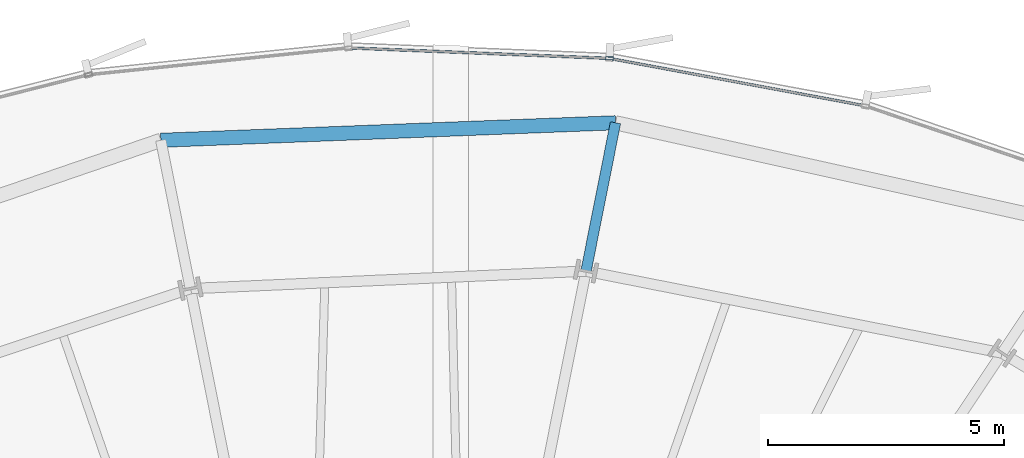
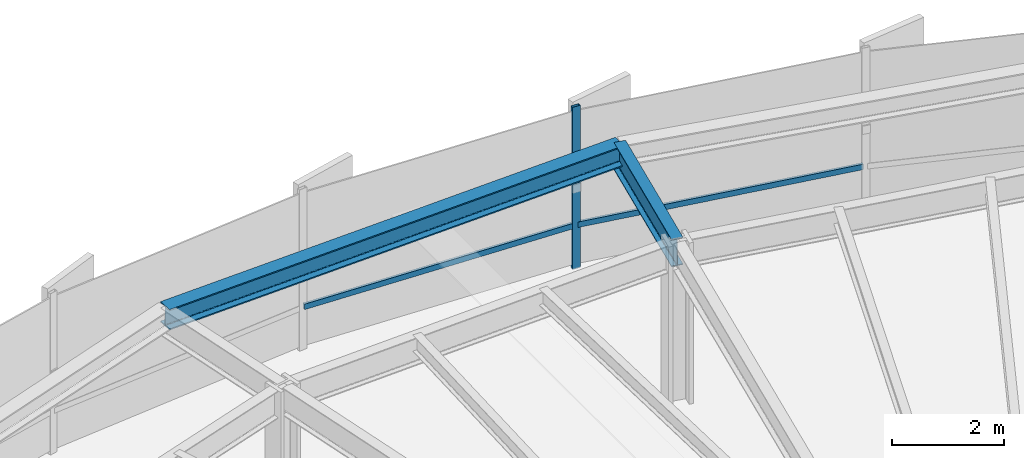
# One storey, part 30 of 42: 3 members, 2 beams, 1 element without a shape of its own.
"""IFC4 building model written with IfcOpenShell, lengths in metres."""

from ifc_helpers import new_model, si_unit, direction, frame, origin, origin_2d, place, context, subcontext, project, spatial, hollow_rectangle, i_section, extrude, source, transform, mapped, material, layer, layer_set, material_profile, profile_set, type_object, element, aggregate, save


model = new_model("IFC4")

# Units and contexts
model_context = context("Model", 3, precision=1e-05, world=origin(), true_north=direction((0.0, 1.0)))
body_context = subcontext(model_context, "Body", "Model", "MODEL_VIEW")
ifc_project = project(units=[si_unit("LENGTHUNIT", "METRE"), si_unit("AREAUNIT", "SQUARE_METRE"), si_unit("VOLUMEUNIT", "CUBIC_METRE"), si_unit("PLANEANGLEUNIT", "RADIAN"), si_unit("MASSUNIT", "GRAM", prefix="KILO"), si_unit("THERMODYNAMICTEMPERATUREUNIT", "KELVIN")], contexts=[model_context])

# Site, building, storey
site_placement = place(None, origin())
site = spatial("IfcSite", under=ifc_project, at=site_placement, CompositionType="ELEMENT")
building_placement = place(site_placement, origin())
building = spatial("IfcBuilding", under=site, at=building_placement, Name="Kethvar Cultural Tower", CompositionType="ELEMENT")
storey_placement = place(building_placement, frame((0.0, 0.0, 37.199951171875)))
storey = spatial("IfcBuildingStorey", under=building, at=storey_placement, Name="L08", CompositionType="ELEMENT", Elevation=37.199951171875)

# Beams
ifc_material_1 = material(Name="Steel S355J2", Category="steel")
ifc_material_profile_1 = material_profile(ifc_material_1, i_section(OverallWidth=0.219970703125, OverallDepth=0.60009765625, WebThickness=0.011962890625, FlangeThickness=0.01904296875, FilletRadius=0.02392578125, at=origin_2d()), Name="Steel S355J2 — IPE600")
ifc_profile_set_1 = profile_set([ifc_material_profile_1], Name="Steel S355J2 — IPE600")
beam_type_1 = type_object("IfcBeamType", Name="BM-IPE600", PredefinedType="BEAM", material=ifc_profile_set_1)
shared_shape_1 = source(origin(), body_context, "Body", "SweptSolid", [
    extrude(i_section(OverallWidth=0.219970703125, OverallDepth=0.60009765625, WebThickness=0.011962890625, FlangeThickness=0.01904296875, FilletRadius=0.02392578125, at=origin_2d()), origin(), (0.0, 0.0, 1.0), 3.199951171875),
])
beam_1_placement = place(storey_placement, frame((51.022216796875, 49.02587890625, 3.248046875), z_axis=(0.195088965533, 0.980785550224, 0.0), x_axis=(-0.980785550224, 0.195088965533, 0.0)))
element("IfcBeam", 1, at=beam_1_placement, inside=storey, type_object=beam_type_1, Name="L08 Perimeter Cantilever Beam RC-04", PredefinedType="BEAM", context=body_context, shape_type="MappedRepresentation", body=[
    mapped(shared_shape_1, transform((0.0, 0.0, 0.0), scale=1.0)),
])
ifc_material_profile_2 = material_profile(ifc_material_1, i_section(OverallWidth=0.300048828125, OverallDepth=0.449951171875, WebThickness=0.013916015625, FlangeThickness=0.02587890625, FilletRadius=0.027099609375, at=origin_2d()), Name="Steel S355J2 — HEB450")
ifc_profile_set_2 = profile_set([ifc_material_profile_2], Name="Steel S355J2 — HEB450")
beam_type_2 = type_object("IfcBeamType", Name="BM-SP450", PredefinedType="SPANDREL", material=ifc_profile_set_2)
shared_shape_2 = source(origin(), body_context, "Body", "SweptSolid", [
    extrude(i_section(OverallWidth=0.300048828125, OverallDepth=0.449951171875, WebThickness=0.013916015625, FlangeThickness=0.02587890625, FilletRadius=0.027099609375, at=origin_2d()), origin(), (0.0, 0.0, 1.0), 9.62646484375),
])
beam_2_placement = place(storey_placement, frame((51.646484375, 52.164306640625, 3.322998046875), z_axis=(-0.999260612605, -0.038447732004, 0.0), x_axis=(0.038447732004, -0.999260612605, 0.0)))
element("IfcBeam", 2, at=beam_2_placement, inside=storey, type_object=beam_type_2, Name="L08 Perimeter Spandrel Beam SP-04", PredefinedType="SPANDREL", context=body_context, shape_type="MappedRepresentation", body=[
    mapped(shared_shape_2, transform((0.0, 0.0, 0.0), scale=1.0)),
])

# Curtain wall, members
ifc_material_2 = material(Name="Aluminium 6063-T6", Category="aluminium")
ifc_layer = layer(ifc_material_2, 0.179931640625, Name="Aluminium 6063-T6", Category="aluminium")
ifc_layer_set = layer_set([ifc_layer], Name="Aluminium 6063-T6 (180 mm)")
curtain_wall_type = type_object("IfcCurtainWallType", Name="CW-SYS-02-Z1", PredefinedType="NOTDEFINED", material=ifc_layer_set)
curtain_wall_placement = place(storey_placement, origin())
curtain_wall = element("IfcCurtainWall", 3, at=curtain_wall_placement, inside=storey, type_object=curtain_wall_type, Name="L08 Curtain Wall Run 02", PredefinedType="NOTDEFINED")
ifc_material_profile_3 = material_profile(ifc_material_2, hollow_rectangle(XDim=0.06494140625, YDim=0.159912109375, WallThickness=0.0048828125, at=origin_2d()), Name="Aluminium 6063-T6 — RHS160x65x5")
ifc_profile_set_3 = profile_set([ifc_material_profile_3], Name="Aluminium 6063-T6 — RHS160x65x5")
member_type_1 = type_object("IfcMemberType", Name="CW-SYS-02-Z1-MUL", PredefinedType="MULLION", material=ifc_profile_set_3)
shared_shape_3 = source(origin(), body_context, "Body", "SweptSolid", [
    extrude(hollow_rectangle(XDim=0.06494140625, YDim=0.159912109375, WallThickness=0.0048828125, at=origin_2d()), origin(), (0.0, 0.0, 1.0), 3.550048828125),
])
member_1_placement = place(storey_placement, frame((51.519287109375, 53.527587890625, 0.0), z_axis=(0.0, 0.0, 1.0), x_axis=(-0.04004459622, -0.999197893469, 0.0)))
member_1 = element("IfcMember", 4, at=member_1_placement, type_object=member_type_1, Name="CW-L08-R02 Mullion 3", PredefinedType="MULLION", context=body_context, shape_type="MappedRepresentation", body=[
    mapped(shared_shape_3, transform((0.0, 0.0, 0.0), scale=1.0)),
])
ifc_material_profile_4 = material_profile(ifc_material_2, hollow_rectangle(XDim=0.054931640625, YDim=0.1201171875, WallThickness=0.00390625, at=origin_2d()), Name="Aluminium 6063-T6 — RHS120x55x4")
ifc_profile_set_4 = profile_set([ifc_material_profile_4], Name="Aluminium 6063-T6 — RHS120x55x4")
member_type_2 = type_object("IfcMemberType", Name="CW-SYS-02-Z1-TRN", PredefinedType="USERDEFINED", material=ifc_profile_set_4)
shared_shape_4 = source(origin(), body_context, "Body", "SweptSolid", [
    extrude(hollow_rectangle(XDim=0.054931640625, YDim=0.1201171875, WallThickness=0.00390625, at=origin_2d()), origin(), (0.0, 0.0, 1.0), 5.4296875),
])
member_2_placement = place(storey_placement, frame((56.88671875, 52.53125, 0.949951171875), z_axis=(-0.983245309505, 0.182287304373, 0.0), x_axis=(-0.182287304373, -0.983245309505, 0.0)))
member_2 = element("IfcMember", 5, at=member_2_placement, type_object=member_type_2, Name="CW-L08-R02 Transom 2", ObjectType="TRANSOM", PredefinedType="USERDEFINED", context=body_context, shape_type="MappedRepresentation", body=[
    mapped(shared_shape_4, transform((0.0, 0.0, 0.0), scale=1.0)),
])
shared_shape_5 = source(origin(), body_context, "Body", "SweptSolid", [
    extrude(hollow_rectangle(XDim=0.054931640625, YDim=0.1201171875, WallThickness=0.00390625, at=origin_2d()), origin(), (0.0, 0.0, 1.0), 5.4541015625),
])
member_3_placement = place(storey_placement, frame((51.472412109375, 53.529296875, 0.949951171875), z_axis=(-0.999197164401, 0.040062783897, 0.0), x_axis=(-0.040062783897, -0.999197164401, 0.0)))
member_3 = element("IfcMember", 6, at=member_3_placement, type_object=member_type_2, Name="CW-L08-R02 Transom 3", ObjectType="TRANSOM", PredefinedType="USERDEFINED", context=body_context, shape_type="MappedRepresentation", body=[
    mapped(shared_shape_5, transform((0.0, 0.0, 0.0), scale=1.0)),
])
aggregate(curtain_wall, [member_1, member_2, member_3])

save(model, "model.ifc")
